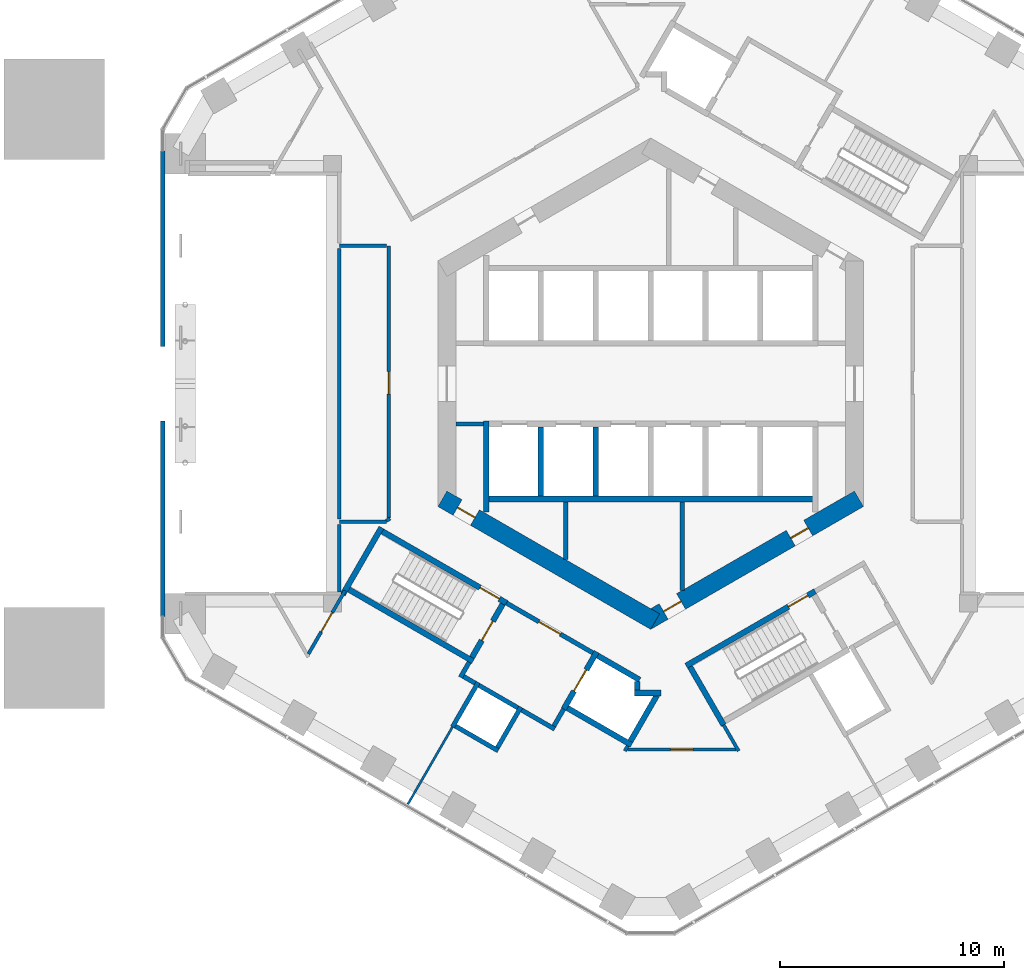
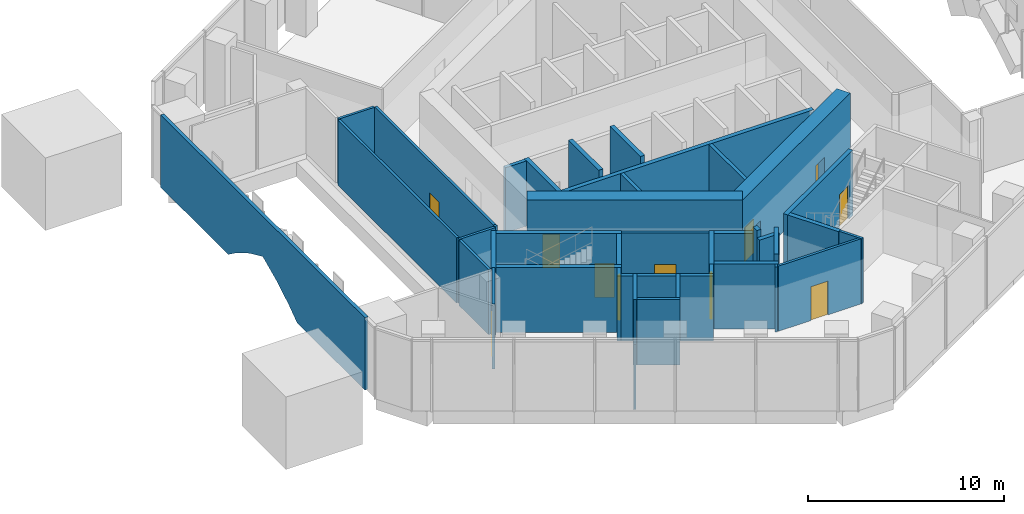
# One storey, part 9 of 14: 42 walls, 11 doors, 11 openings.
"""IFC4 building model written with IfcOpenShell, lengths in metres."""

from ifc_helpers import new_model, si_unit, direction, frame, frame_2d, origin, place, context, subcontext, project, spatial, polyline, rectangle, outline, extrude, material, layer, layer_set, type_object, element, fill, save


model = new_model("IFC4")

# Units and contexts
model_context = context("Model", 3, precision=1e-05, world=origin(), true_north=direction((0.0, 1.0)))
body_context = subcontext(model_context, "Body", "Model", "MODEL_VIEW")
ifc_project = project(units=[si_unit("LENGTHUNIT", "METRE"), si_unit("AREAUNIT", "SQUARE_METRE"), si_unit("VOLUMEUNIT", "CUBIC_METRE"), si_unit("PLANEANGLEUNIT", "RADIAN"), si_unit("MASSUNIT", "GRAM", prefix="KILO")], contexts=[model_context])

# Site, building, storey
site_placement = place(None, origin())
site = spatial("IfcSite", under=ifc_project, at=site_placement, CompositionType="ELEMENT")
building_placement = place(site_placement, origin())
building = spatial("IfcBuilding", under=site, at=building_placement, Name="Ayvan Gate Tower", CompositionType="ELEMENT")
storey_placement = place(building_placement, frame((0.0, 0.0, 16.0)))
storey = spatial("IfcBuildingStorey", under=building, at=storey_placement, Name="L03", CompositionType="ELEMENT", Elevation=16.0)

# Wall
ifc_material_1 = material(Name="Pale metal cladding on insulated wall")
ifc_layer_1 = layer(ifc_material_1, 0.199951171875)
ifc_layer_set_1 = layer_set([ifc_layer_1], Name="Pale metal cladding on insulated wall")
wall_type_1 = type_object("IfcWallType", Name="Arch tympanum wall 200", PredefinedType="SOLIDWALL", material=ifc_layer_set_1)
wall_1_placement = place(storey_placement, frame((-21.6845703125, 10.399658203125, 4.5), z_axis=(1.0, 0.0, 0.0), x_axis=(0.0, -1.0, 0.0)))
element("IfcWall", 1, at=wall_1_placement, inside=storey, type_object=wall_type_1, Name="Arch tympanum wall L03 face 3", PredefinedType="SOLIDWALL", context=body_context, shape_type="SweptSolid", body=[
    extrude(outline(polyline([(0.0, 0.0), (20.79931640625, 0.0), (20.79931640625, 4.5), (13.9052734375, 4.5), (13.04931640625, 3.8779296875), (11.758544921875, 3.123291015625), (10.399658203125, 2.5), (9.040771484375, 3.123291015625), (7.75, 3.8779296875), (6.89404296875, 4.5), (0.0, 4.5), (0.0, 0.0)])), origin(), (0.0, 0.0, -1.0), 0.199951171875),
])

# Wall, opening, door
ifc_material_2 = material(Name="Concrete C70/85", Category="concrete")
ifc_layer_2 = layer(ifc_material_2, 0.800048828125)
ifc_layer_set_2 = layer_set([ifc_layer_2], Name="Concrete C70/85")
wall_type_2 = type_object("IfcWallType", Name="Core wall 800 C70/85", PredefinedType="SHEAR", material=ifc_layer_set_2)
wall_2_placement = place(storey_placement, frame((-9.300048828125, -5.138427734375, 0.0), z_axis=(0.0, 0.0, 1.0), x_axis=(0.866023993627, -0.500002442456, 0.0)))
wall_2 = element("IfcWall", 2, at=wall_2_placement, inside=storey, type_object=wall_type_2, Name="CORE-L03-4", PredefinedType="SHEAR", context=body_context, shape_type="SweptSolid", body=[
    extrude(rectangle(XDim=10.9697265625, YDim=0.800048828125, at=frame_2d((5.48486328125, 0.0))), origin(), (0.0, 0.0, 1.0), 4.5),
])
opening_1_placement = place(wall_2_placement, frame((0.779541015625, 0.0, 0.0)))
opening_1 = element("IfcOpeningElement", 3, at=opening_1_placement, cuts=wall_2, Name="Opening L03-D29", PredefinedType="OPENING", context=body_context, shape_type="SweptSolid", body=[
    extrude(rectangle(XDim=0.89990234375, YDim=2.10009765625, at=frame_2d((0.449951171875, 1.050048828125))), frame((0.0, 0.409912109375, 0.0), z_axis=(0.0, -1.0, 0.0), x_axis=(1.0, 0.0, 0.0)), (0.0, 0.0, 1.0), 0.820068359375),
])
ifc_material_3 = material(Name="Timber door leaf", Category="wood")
door_type_1 = type_object("IfcDoorType", Name="DT-900", OperationType="NOTDEFINED", PredefinedType="DOOR", material=ifc_material_3)
door_1_placement = place(opening_1_placement, origin())
door_1 = element("IfcDoor", 4, at=door_1_placement, inside=storey, type_object=door_type_1, Name="CD-L03-29", OperationType="SINGLE_SWING_RIGHT", OverallHeight=2.10009765625, OverallWidth=0.89990234375, PredefinedType="DOOR", context=body_context, shape_type="SweptSolid", body=[
    extrude(rectangle(XDim=0.89990234375, YDim=2.10009765625, at=frame_2d((0.449951171875, 1.050048828125))), frame((0.0, 0.02490234375, 0.0), z_axis=(0.0, -1.0, 0.0), x_axis=(1.0, 0.0, 0.0)), (0.0, 0.0, 1.0), 0.050048828125),
])
fill(opening_1, door_1)

# Wall, openings, doors
wall_3_placement = place(storey_placement, frame((-0.199951171875, -10.623291015625, 0.0), z_axis=(0.0, 0.0, 1.0), x_axis=(0.866023993627, 0.500002442456, 0.0)))
wall_3 = element("IfcWall", 5, at=wall_3_placement, inside=storey, type_object=wall_type_2, Name="CORE-L03-5", PredefinedType="SHEAR", context=body_context, shape_type="SweptSolid", body=[
    extrude(rectangle(XDim=10.9697265625, YDim=0.800048828125, at=frame_2d((5.48486328125, 0.0))), origin(), (0.0, 0.0, 1.0), 4.5),
])
opening_2_placement = place(wall_3_placement, frame((0.89990234375, 0.0, 0.0)))
opening_2 = element("IfcOpeningElement", 6, at=opening_2_placement, cuts=wall_3, Name="Opening L03-D30", PredefinedType="OPENING", context=body_context, shape_type="SweptSolid", body=[
    extrude(rectangle(XDim=0.89990234375, YDim=2.10009765625, at=frame_2d((0.449951171875, 1.050048828125))), frame((0.0, 0.409912109375, 0.0), z_axis=(0.0, -1.0, 0.0), x_axis=(1.0, 0.0, 0.0)), (0.0, 0.0, 1.0), 0.820068359375),
])
opening_3_placement = place(wall_3_placement, frame((7.45458984375, 0.0, 0.0)))
opening_3 = element("IfcOpeningElement", 7, at=opening_3_placement, cuts=wall_3, Name="Opening L03-D31", PredefinedType="OPENING", context=body_context, shape_type="SweptSolid", body=[
    extrude(rectangle(XDim=0.89990234375, YDim=2.10009765625, at=frame_2d((0.449951171875, 1.050048828125))), frame((0.0, 0.409912109375, 0.0), z_axis=(0.0, -1.0, 0.0), x_axis=(1.0, 0.0, 0.0)), (0.0, 0.0, 1.0), 0.820068359375),
])
door_2_placement = place(opening_2_placement, origin())
door_2 = element("IfcDoor", 8, at=door_2_placement, inside=storey, type_object=door_type_1, Name="CD-L03-30", OperationType="SINGLE_SWING_LEFT", OverallHeight=2.10009765625, OverallWidth=0.89990234375, PredefinedType="DOOR", context=body_context, shape_type="SweptSolid", body=[
    extrude(rectangle(XDim=0.89990234375, YDim=2.10009765625, at=frame_2d((0.449951171875, 1.050048828125))), frame((0.0, 0.02490234375, 0.0), z_axis=(0.0, -1.0, 0.0), x_axis=(1.0, 0.0, 0.0)), (0.0, 0.0, 1.0), 0.050048828125),
])
fill(opening_2, door_2)
door_3_placement = place(opening_3_placement, origin())
door_3 = element("IfcDoor", 9, at=door_3_placement, inside=storey, type_object=door_type_1, Name="CD-L03-31", OperationType="SINGLE_SWING_RIGHT", OverallHeight=2.10009765625, OverallWidth=0.89990234375, PredefinedType="DOOR", context=body_context, shape_type="SweptSolid", body=[
    extrude(rectangle(XDim=0.89990234375, YDim=2.10009765625, at=frame_2d((0.449951171875, 1.050048828125))), frame((0.0, 0.02490234375, 0.0), z_axis=(0.0, -1.0, 0.0), x_axis=(1.0, 0.0, 0.0)), (0.0, 0.0, 1.0), 0.050048828125),
])
fill(opening_3, door_3)

# Walls
ifc_material_4 = material(Name="Plasterboard on steel stud", Category="steel")
ifc_layer_3 = layer(ifc_material_4, 0.14990234375)
ifc_layer_set_3 = layer_set([ifc_layer_3], Name="Plasterboard on steel stud")
wall_type_3 = type_object("IfcWallType", Name="WT-CORR-150", PredefinedType="PARTITIONING", material=ifc_layer_set_3)
wall_4_placement = place(storey_placement, frame((-13.89990234375, -9.29296875, 0.0), z_axis=(0.0, 0.0, 1.0), x_axis=(0.0, 1.0, 0.0)))
element("IfcWall", 10, at=wall_4_placement, inside=storey, type_object=wall_type_3, Name="IW-L03-010", PredefinedType="PARTITIONING", context=body_context, shape_type="SweptSolid", body=[
    extrude(rectangle(XDim=3.01220703125, YDim=0.14990234375, at=frame_2d((1.506103515625, 0.0))), origin(), (0.0, 0.0, 1.0), 4.050048828125),
])
wall_5_placement = place(storey_placement, frame((-13.89990234375, -6.160888671875, 0.0), z_axis=(0.0, 0.0, 1.0), x_axis=(1.0, 0.0, 0.0)))
element("IfcWall", 11, at=wall_5_placement, inside=storey, type_object=wall_type_3, Name="IW-L03-011", PredefinedType="PARTITIONING", context=body_context, shape_type="SweptSolid", body=[
    extrude(rectangle(XDim=2.10400390625, YDim=0.14990234375, at=frame_2d((1.052001953125, 0.0))), origin(), (0.0, 0.0, 1.0), 4.050048828125),
])
wall_6_placement = place(storey_placement, frame((-13.89990234375, -6.040771484375, 0.0), z_axis=(0.0, 0.0, 1.0), x_axis=(0.0, 1.0, 0.0)))
element("IfcWall", 12, at=wall_6_placement, inside=storey, type_object=wall_type_3, Name="IW-L03-012", PredefinedType="PARTITIONING", context=body_context, shape_type="SweptSolid", body=[
    extrude(rectangle(XDim=12.08154296875, YDim=0.14990234375, at=frame_2d((6.040771484375, 0.0))), origin(), (0.0, 0.0, 1.0), 4.050048828125),
])

# Wall, opening, door
wall_7_placement = place(storey_placement, frame((-13.647705078125, -9.23876953125, 0.0), z_axis=(0.0, 0.0, 1.0), x_axis=(-0.50004125829, -0.866001581989, 0.0)))
wall_7 = element("IfcWall", 13, at=wall_7_placement, inside=storey, type_object=wall_type_3, Name="IW-L03-016", PredefinedType="PARTITIONING", context=body_context, shape_type="SweptSolid", body=[
    extrude(rectangle(XDim=3.270263671875, YDim=0.14990234375, at=frame_2d((1.63525390625, 0.0))), origin(), (0.0, 0.0, 1.0), 4.050048828125),
])
opening_4_placement = place(wall_7_placement, frame((1.13525390625, 0.0, 0.0)))
opening_4 = element("IfcOpeningElement", 14, at=opening_4_placement, cuts=wall_7, Name="Opening L03-D20", PredefinedType="OPENING", context=body_context, shape_type="SweptSolid", body=[
    extrude(rectangle(XDim=1.0, YDim=2.10009765625, at=frame_2d((0.5, 1.050048828125))), frame((0.0, 0.0849609375, 0.0), z_axis=(0.0, -1.0, 0.0), x_axis=(1.0, 0.0, 0.0)), (0.0, 0.0, 1.0), 0.169921875),
])
door_type_2 = type_object("IfcDoorType", Name="DT-1000", OperationType="NOTDEFINED", PredefinedType="DOOR", material=ifc_material_3)
door_4_placement = place(opening_4_placement, origin())
door_4 = element("IfcDoor", 15, at=door_4_placement, inside=storey, type_object=door_type_2, Name="ID-L03-020", OperationType="SINGLE_SWING_LEFT", OverallHeight=2.10009765625, OverallWidth=1.0, PredefinedType="DOOR", context=body_context, shape_type="SweptSolid", body=[
    extrude(rectangle(XDim=1.0, YDim=2.10009765625, at=frame_2d((0.5, 1.050048828125))), frame((0.0, 0.02490234375, 0.0), z_axis=(0.0, -1.0, 0.0), x_axis=(1.0, 0.0, 0.0)), (0.0, 0.0, 1.0), 0.050048828125),
])
fill(opening_4, door_4)

# Walls
wall_8_placement = place(storey_placement, frame((-11.7958984375, 6.160888671875, 0.0), z_axis=(0.0, 0.0, 1.0), x_axis=(-1.0, 0.0, 0.0)))
element("IfcWall", 16, at=wall_8_placement, inside=storey, type_object=wall_type_3, Name="IW-L03-018", PredefinedType="PARTITIONING", context=body_context, shape_type="SweptSolid", body=[
    extrude(rectangle(XDim=2.10400390625, YDim=0.14990234375, at=frame_2d((1.052001953125, 0.0))), origin(), (0.0, 0.0, 1.0), 4.050048828125),
])
wall_9_placement = place(storey_placement, frame((-11.805908203125, -6.123291015625, 0.0), z_axis=(0.0, 0.0, 1.0), x_axis=(0.866103179807, 0.499865263774, 0.0)))
element("IfcWall", 17, at=wall_9_placement, inside=storey, type_object=wall_type_3, Name="IW-L03-019", PredefinedType="PARTITIONING", context=body_context, shape_type="SweptSolid", body=[
    extrude(rectangle(XDim=0.197265625, YDim=0.14990234375, at=frame_2d((0.0986328125, 0.0))), origin(), (0.0, 0.0, 1.0), 4.050048828125),
])

# Wall, opening, door
wall_10_placement = place(storey_placement, frame((-11.699951171875, -5.9873046875, 0.0), z_axis=(0.0, 0.0, 1.0), x_axis=(0.0, 1.0, 0.0)))
wall_10 = element("IfcWall", 18, at=wall_10_placement, inside=storey, type_object=wall_type_3, Name="IW-L03-020", PredefinedType="PARTITIONING", context=body_context, shape_type="SweptSolid", body=[
    extrude(rectangle(XDim=12.12451171875, YDim=0.14990234375, at=frame_2d((6.062255859375, 0.0))), origin(), (0.0, 0.0, 1.0), 4.050048828125),
])
opening_5_placement = place(wall_10_placement, frame((5.524658203125, 0.0, 0.0)))
opening_5 = element("IfcOpeningElement", 19, at=opening_5_placement, cuts=wall_10, Name="Opening L03-D25", PredefinedType="OPENING", context=body_context, shape_type="SweptSolid", body=[
    extrude(rectangle(XDim=1.0, YDim=2.10009765625, at=frame_2d((0.5, 1.050048828125))), frame((0.0, 0.0849609375, 0.0), z_axis=(0.0, -1.0, 0.0), x_axis=(1.0, 0.0, 0.0)), (0.0, 0.0, 1.0), 0.169921875),
])
door_5_placement = place(opening_5_placement, origin())
door_5 = element("IfcDoor", 20, at=door_5_placement, inside=storey, type_object=door_type_2, Name="ID-L03-025", OperationType="SINGLE_SWING_RIGHT", OverallHeight=2.10009765625, OverallWidth=1.0, PredefinedType="DOOR", context=body_context, shape_type="SweptSolid", body=[
    extrude(rectangle(XDim=1.0, YDim=2.10009765625, at=frame_2d((0.5, 1.050048828125))), frame((0.0, 0.02490234375, 0.0), z_axis=(0.0, -1.0, 0.0), x_axis=(1.0, 0.0, 0.0)), (0.0, 0.0, 1.0), 0.050048828125),
])
fill(opening_5, door_5)

# Walls
wall_11_placement = place(storey_placement, frame((-1.1552734375, -16.40087890625, 0.0), z_axis=(0.0, 0.0, 1.0), x_axis=(0.500134748329, 0.865947592822, 0.0)))
element("IfcWall", 21, at=wall_11_placement, inside=storey, type_object=wall_type_3, Name="IW-L03-052", PredefinedType="PARTITIONING", context=body_context, shape_type="SweptSolid", body=[
    extrude(rectangle(XDim=0.25634765625, YDim=0.14990234375, at=frame_2d((0.128173828125, 0.0))), origin(), (0.0, 0.0, 1.0), 4.050048828125),
])
wall_12_placement = place(storey_placement, frame((3.255615234375, -15.23876953125, 0.0), z_axis=(0.0, 0.0, 1.0), x_axis=(0.499974444137, -0.866040157966, 0.0)))
element("IfcWall", 22, at=wall_12_placement, inside=storey, type_object=wall_type_3, Name="IW-L03-073", PredefinedType="PARTITIONING", context=body_context, shape_type="SweptSolid", body=[
    extrude(rectangle(XDim=1.341796875, YDim=0.14990234375, at=frame_2d((0.6708984375, 0.0))), origin(), (0.0, 0.0, 1.0), 4.050048828125),
])

# Wall, opening, door
wall_13_placement = place(storey_placement, frame((3.81396484375, -16.3359375, 0.0), z_axis=(0.0, 0.0, 1.0), x_axis=(-1.0, 0.0, 0.0)))
wall_13 = element("IfcWall", 23, at=wall_13_placement, inside=storey, type_object=wall_type_3, Name="IW-L03-077", PredefinedType="PARTITIONING", context=body_context, shape_type="SweptSolid", body=[
    extrude(rectangle(XDim=4.856689453125, YDim=0.14990234375, at=frame_2d((2.42822265625, 0.0))), origin(), (0.0, 0.0, 1.0), 4.050048828125),
])
opening_6_placement = place(wall_13_placement, frame((1.92822265625, 0.0, 0.0)))
opening_6 = element("IfcOpeningElement", 24, at=opening_6_placement, cuts=wall_13, Name="Opening L03-D21", PredefinedType="OPENING", context=body_context, shape_type="SweptSolid", body=[
    extrude(rectangle(XDim=1.0, YDim=2.10009765625, at=frame_2d((0.5, 1.050048828125))), frame((0.0, 0.0849609375, 0.0), z_axis=(0.0, -1.0, 0.0), x_axis=(1.0, 0.0, 0.0)), (0.0, 0.0, 1.0), 0.169921875),
])
door_6_placement = place(opening_6_placement, origin())
door_6 = element("IfcDoor", 25, at=door_6_placement, inside=storey, type_object=door_type_2, Name="ID-L03-021", OperationType="SINGLE_SWING_RIGHT", OverallHeight=2.10009765625, OverallWidth=1.0, PredefinedType="DOOR", context=body_context, shape_type="SweptSolid", body=[
    extrude(rectangle(XDim=1.0, YDim=2.10009765625, at=frame_2d((0.5, 1.050048828125))), frame((0.0, 0.02490234375, 0.0), z_axis=(0.0, -1.0, 0.0), x_axis=(1.0, 0.0, 0.0)), (0.0, 0.0, 1.0), 0.050048828125),
])
fill(opening_6, door_6)

# Walls
ifc_layer_4 = layer(ifc_material_4, 0.10009765625)
ifc_layer_set_4 = layer_set([ifc_layer_4], Name="Plasterboard on steel stud")
wall_type_4 = type_object("IfcWallType", Name="WT-PART-100", PredefinedType="PARTITIONING", material=ifc_layer_set_4)
wall_14_placement = place(storey_placement, frame((-8.85009765625, -15.32861328125, 0.0), z_axis=(0.0, 0.0, 1.0), x_axis=(-0.499991453095, -0.866030338286, 0.0)))
element("IfcWall", 26, at=wall_14_placement, inside=storey, type_object=wall_type_4, Name="IW-L03-024", PredefinedType="PARTITIONING", context=body_context, shape_type="SweptSolid", body=[
    extrude(rectangle(XDim=3.98046875, YDim=0.10009765625, at=frame_2d((1.990234375, 0.0))), origin(), (0.0, 0.0, 1.0), 4.050048828125),
])
ifc_layer_5 = layer(ifc_material_4, 0.199951171875)
ifc_layer_set_5 = layer_set([ifc_layer_5], Name="Plasterboard on steel stud")
wall_type_5 = type_object("IfcWallType", Name="WT-PLUMB-200", PredefinedType="PLUMBINGWALL", material=ifc_layer_set_5)
wall_15_placement = place(storey_placement, frame((-8.85009765625, -15.32861328125, 0.0), z_axis=(0.0, 0.0, 1.0), x_axis=(0.500077740698, 0.865980515519, 0.0)))
element("IfcWall", 27, at=wall_15_placement, inside=storey, type_object=wall_type_5, Name="IW-L03-023", PredefinedType="PLUMBINGWALL", context=body_context, shape_type="SweptSolid", body=[
    extrude(rectangle(XDim=2.300048828125, YDim=0.199951171875, at=frame_2d((1.14990234375, 0.0))), origin(), (0.0, 0.0, 1.0), 4.050048828125),
])
wall_16_placement = place(storey_placement, frame((-6.80810546875, -16.39208984375, 0.0), z_axis=(0.0, 0.0, 1.0), x_axis=(-0.866008176907, 0.50002983664, 0.0)))
element("IfcWall", 28, at=wall_16_placement, inside=storey, type_object=wall_type_5, Name="IW-L03-034", PredefinedType="PLUMBINGWALL", context=body_context, shape_type="SweptSolid", body=[
    extrude(rectangle(XDim=2.199951171875, YDim=0.199951171875, at=frame_2d((1.10009765625, 0.0))), origin(), (0.0, 0.0, 1.0), 4.050048828125),
])
wall_17_placement = place(storey_placement, frame((-5.794677734375, -14.436767578125, 0.0), z_axis=(0.0, 0.0, 1.0), x_axis=(-0.500027713859, -0.866009402589, 0.0)))
element("IfcWall", 29, at=wall_17_placement, inside=storey, type_object=wall_type_5, Name="IW-L03-037", PredefinedType="PLUMBINGWALL", context=body_context, shape_type="SweptSolid", body=[
    extrude(rectangle(XDim=2.10009765625, YDim=0.199951171875, at=frame_2d((1.050048828125, 0.0))), origin(), (0.0, 0.0, 1.0), 4.050048828125),
])
wall_18_placement = place(storey_placement, frame((-5.931396484375, -14.473388671875, 0.0), z_axis=(0.0, 0.0, 1.0), x_axis=(-0.866041268327, 0.499972520799, 0.0)))
element("IfcWall", 30, at=wall_18_placement, inside=storey, type_object=wall_type_5, Name="IW-L03-038", PredefinedType="PLUMBINGWALL", context=body_context, shape_type="SweptSolid", body=[
    extrude(rectangle(XDim=2.0, YDim=0.199951171875, at=frame_2d((1.0, 0.0))), origin(), (0.0, 0.0, 1.0), 4.050048828125),
])
ifc_layer_6 = layer(ifc_material_4, 0.199951171875)
ifc_layer_set_6 = layer_set([ifc_layer_6], Name="Plasterboard on steel stud")
wall_type_6 = type_object("IfcWallType", Name="WT-RATED-200", PredefinedType="PARTITIONING", material=ifc_layer_set_6)
wall_19_placement = place(storey_placement, frame((-8.492919921875, -13.110107421875, 0.0), z_axis=(0.0, 0.0, 1.0), x_axis=(0.500067724834, 0.865986299303, 0.0)))
element("IfcWall", 31, at=wall_19_placement, inside=storey, type_object=wall_type_6, Name="IW-L03-026", PredefinedType="PARTITIONING", context=body_context, shape_type="SweptSolid", body=[
    extrude(rectangle(XDim=0.775390625, YDim=0.199951171875, at=frame_2d((0.3876953125, 0.0))), origin(), (0.0, 0.0, 1.0), 4.050048828125),
])
wall_20_placement = place(storey_placement, frame((-7.83642578125, -13.373291015625, 0.0), z_axis=(0.0, 0.0, 1.0), x_axis=(-0.866232998003, 0.499640263761, 0.0)))
element("IfcWall", 32, at=wall_20_placement, inside=storey, type_object=wall_type_6, Name="IW-L03-028", PredefinedType="PARTITIONING", context=body_context, shape_type="SweptSolid", body=[
    extrude(rectangle(XDim=0.60009765625, YDim=0.199951171875, at=frame_2d((0.300048828125, 0.0))), origin(), (0.0, 0.0, 1.0), 4.050048828125),
])
wall_21_placement = place(storey_placement, frame((-7.474853515625, -1.800048828125, 0.0), z_axis=(0.0, 0.0, 1.0), x_axis=(-1.0, 0.0, 0.0)))
element("IfcWall", 33, at=wall_21_placement, inside=storey, type_object=wall_type_6, Name="IW-L03-033", PredefinedType="PARTITIONING", context=body_context, shape_type="SweptSolid", body=[
    extrude(rectangle(XDim=1.22509765625, YDim=0.199951171875, at=frame_2d((0.612548828125, 0.0))), origin(), (0.0, 0.0, 1.0), 4.050048828125),
])

# Wall, opening, door
wall_22_placement = place(storey_placement, frame((-6.4345703125, -9.794921875, 0.0), z_axis=(0.0, 0.0, 1.0), x_axis=(0.866012907634, -0.500021643343, 0.0)))
wall_22 = element("IfcWall", 34, at=wall_22_placement, inside=storey, type_object=wall_type_6, Name="IW-L03-036", PredefinedType="PARTITIONING", context=body_context, shape_type="SweptSolid", body=[
    extrude(rectangle(XDim=4.449951171875, YDim=0.199951171875, at=frame_2d((2.22509765625, 0.0))), origin(), (0.0, 0.0, 1.0), 4.050048828125),
])
opening_7_placement = place(wall_22_placement, frame((1.675048828125, 0.0, 0.0)))
opening_7 = element("IfcOpeningElement", 35, at=opening_7_placement, cuts=wall_22, Name="Opening L03-D12", PredefinedType="OPENING", context=body_context, shape_type="SweptSolid", body=[
    extrude(rectangle(XDim=1.10009765625, YDim=2.10009765625, at=frame_2d((0.550048828125, 1.050048828125))), frame((0.0, 0.10986328125, 0.0), z_axis=(0.0, -1.0, 0.0), x_axis=(1.0, 0.0, 0.0)), (0.0, 0.0, 1.0), 0.219970703125),
])
door_type_3 = type_object("IfcDoorType", Name="DT-1100", OperationType="NOTDEFINED", PredefinedType="DOOR", material=ifc_material_3)
door_7_placement = place(opening_7_placement, origin())
door_7 = element("IfcDoor", 36, at=door_7_placement, inside=storey, type_object=door_type_3, Name="ID-L03-012", OperationType="SINGLE_SWING_LEFT", OverallHeight=2.10009765625, OverallWidth=1.10009765625, PredefinedType="DOOR", context=body_context, shape_type="SweptSolid", body=[
    extrude(rectangle(XDim=1.10009765625, YDim=2.10009765625, at=frame_2d((0.550048828125, 1.050048828125))), frame((0.0, 0.02490234375, 0.0), z_axis=(0.0, -1.0, 0.0), x_axis=(1.0, 0.0, 0.0)), (0.0, 0.0, 1.0), 0.050048828125),
])
fill(opening_7, door_7)

# Walls
wall_23_placement = place(storey_placement, frame((-4.285888671875, -15.42333984375, 0.0), z_axis=(0.0, 0.0, 1.0), x_axis=(-0.866025371046, 0.500000056704, 0.0)))
element("IfcWall", 37, at=wall_23_placement, inside=storey, type_object=wall_type_6, Name="IW-L03-044", PredefinedType="PARTITIONING", context=body_context, shape_type="SweptSolid", body=[
    extrude(rectangle(XDim=1.7001953125, YDim=0.199951171875, at=frame_2d((0.85009765625, 0.0))), origin(), (0.0, 0.0, 1.0), 4.050048828125),
])
wall_24_placement = place(storey_placement, frame((-3.885009765625, -14.52880859375, 0.0), z_axis=(0.0, 0.0, 1.0), x_axis=(-0.499859285417, -0.866106630146, 0.0)))
element("IfcWall", 38, at=wall_24_placement, inside=storey, type_object=wall_type_6, Name="IW-L03-045", PredefinedType="PARTITIONING", context=body_context, shape_type="SweptSolid", body=[
    extrude(rectangle(XDim=0.875244140625, YDim=0.199951171875, at=frame_2d((0.4375, 0.0))), origin(), (0.0, 0.0, 1.0), 4.050048828125),
])
wall_25_placement = place(storey_placement, frame((-3.800048828125, -5.27490234375, 0.0), z_axis=(0.0, 0.0, 1.0), x_axis=(0.0, -1.0, 0.0)))
element("IfcWall", 39, at=wall_25_placement, inside=storey, type_object=wall_type_6, Name="IW-L03-046", PredefinedType="PARTITIONING", context=body_context, shape_type="SweptSolid", body=[
    extrude(rectangle(XDim=2.5771484375, YDim=0.199951171875, at=frame_2d((1.28857421875, 0.0))), origin(), (0.0, 0.0, 1.0), 4.050048828125),
])
wall_26_placement = place(storey_placement, frame((1.39990234375, -5.27490234375, 0.0), z_axis=(0.0, 0.0, 1.0), x_axis=(0.0, -1.0, 0.0)))
element("IfcWall", 40, at=wall_26_placement, inside=storey, type_object=wall_type_6, Name="IW-L03-066", PredefinedType="PARTITIONING", context=body_context, shape_type="SweptSolid", body=[
    extrude(rectangle(XDim=3.962646484375, YDim=0.199951171875, at=frame_2d((1.9814453125, 0.0))), origin(), (0.0, 0.0, 1.0), 4.050048828125),
])
ifc_material_5 = material(Name="Concrete C50/60", Category="concrete")
ifc_layer_7 = layer(ifc_material_5, 0.25)
ifc_layer_set_7 = layer_set([ifc_layer_7], Name="Concrete C50/60")
wall_type_7 = type_object("IfcWallType", Name="WT-RC-250", PredefinedType="SHEAR", material=ifc_layer_set_7)
wall_27_placement = place(storey_placement, frame((-13.7548828125, -9.424072265625, 0.0), z_axis=(0.0, 0.0, 1.0), x_axis=(0.500005140434, 0.866022435933, 0.0)))
element("IfcWall", 41, at=wall_27_placement, inside=storey, type_object=wall_type_7, Name="IW-L03-015", PredefinedType="SHEAR", context=body_context, shape_type="SweptSolid", body=[
    extrude(rectangle(XDim=3.4638671875, YDim=0.25, at=frame_2d((1.73193359375, 0.0))), origin(), (0.0, 0.0, 1.0), 4.050048828125),
])

# Wall, opening, door
wall_28_placement = place(storey_placement, frame((-11.97705078125, -6.594970703125, 0.0), z_axis=(0.0, 0.0, 1.0), x_axis=(0.866025499775, -0.499999833739, 0.0)))
wall_28 = element("IfcWall", 42, at=wall_28_placement, inside=storey, type_object=wall_type_7, Name="IW-L03-017", PredefinedType="SHEAR", context=body_context, shape_type="SweptSolid", body=[
    extrude(rectangle(XDim=6.39990234375, YDim=0.25, at=frame_2d((3.199951171875, 0.0))), origin(), (0.0, 0.0, 1.0), 4.050048828125),
])
opening_8_placement = place(wall_28_placement, frame((5.02490234375, 0.0, 0.0)))
opening_8 = element("IfcOpeningElement", 43, at=opening_8_placement, cuts=wall_28, Name="Opening L03-D10", PredefinedType="OPENING", context=body_context, shape_type="SweptSolid", body=[
    extrude(rectangle(XDim=1.0, YDim=2.10009765625, at=frame_2d((0.5, 1.050048828125))), frame((0.0, 0.135009765625, 0.0), z_axis=(0.0, -1.0, 0.0), x_axis=(1.0, 0.0, 0.0)), (0.0, 0.0, 1.0), 0.27001953125),
])
door_8_placement = place(opening_8_placement, origin())
door_8 = element("IfcDoor", 44, at=door_8_placement, inside=storey, type_object=door_type_2, Name="ID-L03-010", OperationType="SINGLE_SWING_LEFT", OverallHeight=2.10009765625, OverallWidth=1.0, PredefinedType="DOOR", context=body_context, shape_type="SweptSolid", body=[
    extrude(rectangle(XDim=1.0, YDim=2.10009765625, at=frame_2d((0.5, 1.050048828125))), frame((0.0, 0.02490234375, 0.0), z_axis=(0.0, -1.0, 0.0), x_axis=(1.0, 0.0, 0.0)), (0.0, 0.0, 1.0), 0.050048828125),
])
fill(opening_8, door_8)

# Walls
wall_29_placement = place(storey_placement, frame((-7.9345703125, -12.39306640625, 0.0), z_axis=(0.0, 0.0, 1.0), x_axis=(-0.866025499775, 0.499999833739, 0.0)))
element("IfcWall", 45, at=wall_29_placement, inside=storey, type_object=wall_type_7, Name="IW-L03-027", PredefinedType="SHEAR", context=body_context, shape_type="SweptSolid", body=[
    extrude(rectangle(XDim=6.39990234375, YDim=0.25, at=frame_2d((3.199951171875, 0.0))), origin(), (0.0, 0.0, 1.0), 4.050048828125),
])
wall_30_placement = place(storey_placement, frame((-7.35009765625, -5.730224609375, 0.0), z_axis=(0.0, 0.0, 1.0), x_axis=(0.0, 1.0, 0.0)))
element("IfcWall", 46, at=wall_30_placement, inside=storey, type_object=wall_type_7, Name="IW-L03-030", PredefinedType="SHEAR", context=body_context, shape_type="SweptSolid", body=[
    extrude(rectangle(XDim=4.05517578125, YDim=0.25, at=frame_2d((2.027587890625, 0.0))), origin(), (0.0, 0.0, 1.0), 4.050048828125),
])

# Wall, opening, door
wall_31_placement = place(storey_placement, frame((-6.605224609375, -9.8408203125, 0.0), z_axis=(0.0, 0.0, 1.0), x_axis=(-0.499996545922, -0.866027397988, 0.0)))
wall_31 = element("IfcWall", 47, at=wall_31_placement, inside=storey, type_object=wall_type_7, Name="IW-L03-035", PredefinedType="SHEAR", context=body_context, shape_type="SweptSolid", body=[
    extrude(rectangle(XDim=2.75, YDim=0.25, at=frame_2d((1.375, 0.0))), origin(), (0.0, 0.0, 1.0), 4.050048828125),
])
opening_9_placement = place(wall_31_placement, frame((0.875, 0.0, 0.0)))
opening_9 = element("IfcOpeningElement", 48, at=opening_9_placement, cuts=wall_31, Name="Opening L03-D11", PredefinedType="OPENING", context=body_context, shape_type="SweptSolid", body=[
    extrude(rectangle(XDim=1.0, YDim=2.10009765625, at=frame_2d((0.5, 1.050048828125))), frame((0.0, 0.135009765625, 0.0), z_axis=(0.0, -1.0, 0.0), x_axis=(1.0, 0.0, 0.0)), (0.0, 0.0, 1.0), 0.27001953125),
])
door_9_placement = place(opening_9_placement, origin())
door_9 = element("IfcDoor", 49, at=door_9_placement, inside=storey, type_object=door_type_2, Name="ID-L03-011", OperationType="SINGLE_SWING_RIGHT", OverallHeight=2.10009765625, OverallWidth=1.0, PredefinedType="DOOR", context=body_context, shape_type="SweptSolid", body=[
    extrude(rectangle(XDim=1.0, YDim=2.10009765625, at=frame_2d((0.5, 1.050048828125))), frame((0.0, 0.02490234375, 0.0), z_axis=(0.0, -1.0, 0.0), x_axis=(1.0, 0.0, 0.0)), (0.0, 0.0, 1.0), 0.050048828125),
])
fill(opening_9, door_9)

# Walls
wall_32_placement = place(storey_placement, frame((-7.22509765625, -5.14990234375, 0.0), z_axis=(0.0, 0.0, 1.0), x_axis=(1.0, 0.0, 0.0)))
element("IfcWall", 50, at=wall_32_placement, inside=storey, type_object=wall_type_7, Name="IW-L03-040", PredefinedType="SHEAR", context=body_context, shape_type="SweptSolid", body=[
    extrude(rectangle(XDim=14.7001953125, YDim=0.25, at=frame_2d((7.35009765625, 0.0))), origin(), (0.0, 0.0, 1.0), 4.050048828125),
])
wall_33_placement = place(storey_placement, frame((-4.89990234375, -1.925048828125, 0.0), z_axis=(0.0, 0.0, 1.0), x_axis=(0.0, -1.0, 0.0)))
element("IfcWall", 51, at=wall_33_placement, inside=storey, type_object=wall_type_7, Name="IW-L03-041", PredefinedType="SHEAR", context=body_context, shape_type="SweptSolid", body=[
    extrude(rectangle(XDim=3.099853515625, YDim=0.25, at=frame_2d((1.5498046875, 0.0))), origin(), (0.0, 0.0, 1.0), 4.5),
])

# Wall, opening, door
wall_34_placement = place(storey_placement, frame((-2.409912109375, -11.97412109375, 0.0), z_axis=(0.0, 0.0, 1.0), x_axis=(-0.500001826776, -0.866024349092, 0.0)))
wall_34 = element("IfcWall", 52, at=wall_34_placement, inside=storey, type_object=wall_type_7, Name="IW-L03-048", PredefinedType="SHEAR", context=body_context, shape_type="SweptSolid", body=[
    extrude(rectangle(XDim=2.9501953125, YDim=0.25, at=frame_2d((1.47509765625, 0.0))), origin(), (0.0, 0.0, 1.0), 4.050048828125),
])
opening_10_placement = place(wall_34_placement, frame((0.925048828125, 0.0, 0.0)))
opening_10 = element("IfcOpeningElement", 53, at=opening_10_placement, cuts=wall_34, Name="Opening L03-LD-FF2", PredefinedType="OPENING", context=body_context, shape_type="SweptSolid", body=[
    extrude(rectangle(XDim=1.10009765625, YDim=2.10009765625, at=frame_2d((0.550048828125, 1.050048828125))), frame((0.0, 0.135009765625, 0.0), z_axis=(0.0, -1.0, 0.0), x_axis=(1.0, 0.0, 0.0)), (0.0, 0.0, 1.0), 0.27001953125),
])
ifc_material_6 = material(Name="Stainless steel landing door", Category="steel")
door_type_4 = type_object("IfcDoorType", Name="DT-LANDING-1100", OperationType="SLIDING_TO_LEFT", PredefinedType="DOOR", material=ifc_material_6)
door_10_placement = place(opening_10_placement, origin())
door_10 = element("IfcDoor", 54, at=door_10_placement, inside=storey, type_object=door_type_4, Name="ID-L03-013", OperationType="SLIDING_TO_LEFT", OverallHeight=2.10009765625, OverallWidth=1.10009765625, PredefinedType="DOOR", context=body_context, shape_type="SweptSolid", body=[
    extrude(rectangle(XDim=1.10009765625, YDim=2.10009765625, at=frame_2d((0.550048828125, 1.050048828125))), frame((0.0, 0.02490234375, 0.0), z_axis=(0.0, -1.0, 0.0), x_axis=(1.0, 0.0, 0.0)), (0.0, 0.0, 1.0), 0.050048828125),
])
fill(opening_10, door_10)

# Walls
wall_35_placement = place(storey_placement, frame((-2.3642578125, -12.14501953125, 0.0), z_axis=(0.0, 0.0, 1.0), x_axis=(0.86603892542, -0.499976579108, 0.0)))
element("IfcWall", 55, at=wall_35_placement, inside=storey, type_object=wall_type_7, Name="IW-L03-049", PredefinedType="SHEAR", context=body_context, shape_type="SweptSolid", body=[
    extrude(rectangle(XDim=2.162109375, YDim=0.25, at=frame_2d((1.0810546875, 0.0))), origin(), (0.0, 0.0, 1.0), 4.050048828125),
])
wall_36_placement = place(storey_placement, frame((-2.449951171875, -1.925048828125, 0.0), z_axis=(0.0, 0.0, 1.0), x_axis=(0.0, -1.0, 0.0)))
element("IfcWall", 56, at=wall_36_placement, inside=storey, type_object=wall_type_7, Name="IW-L03-050", PredefinedType="SHEAR", context=body_context, shape_type="SweptSolid", body=[
    extrude(rectangle(XDim=3.099853515625, YDim=0.25, at=frame_2d((1.5498046875, 0.0))), origin(), (0.0, 0.0, 1.0), 4.5),
])
wall_37_placement = place(storey_placement, frame((-0.8564453125, -16.13330078125, 0.0), z_axis=(0.0, 0.0, 1.0), x_axis=(-0.866021716278, 0.500006386895, 0.0)))
element("IfcWall", 57, at=wall_37_placement, inside=storey, type_object=wall_type_7, Name="IW-L03-053", PredefinedType="SHEAR", context=body_context, shape_type="SweptSolid", body=[
    extrude(rectangle(XDim=3.2998046875, YDim=0.25, at=frame_2d((1.64990234375, 0.0))), origin(), (0.0, 0.0, 1.0), 4.050048828125),
])
wall_38_placement = place(storey_placement, frame((-0.72509765625, -13.81005859375, 0.0), z_axis=(0.0, 0.0, 1.0), x_axis=(1.0, 0.0, 0.0)))
element("IfcWall", 58, at=wall_38_placement, inside=storey, type_object=wall_type_7, Name="IW-L03-054", PredefinedType="SHEAR", context=body_context, shape_type="SweptSolid", body=[
    extrude(rectangle(XDim=1.190673828125, YDim=0.25, at=frame_2d((0.59521484375, 0.0))), origin(), (0.0, 0.0, 1.0), 4.050048828125),
])
wall_39_placement = place(storey_placement, frame((-0.60009765625, -13.28857421875, 0.0), z_axis=(0.0, 0.0, 1.0), x_axis=(0.0, -1.0, 0.0)))
element("IfcWall", 59, at=wall_39_placement, inside=storey, type_object=wall_type_7, Name="IW-L03-055", PredefinedType="SHEAR", context=body_context, shape_type="SweptSolid", body=[
    extrude(rectangle(XDim=0.396484375, YDim=0.25, at=frame_2d((0.1982421875, 0.0))), origin(), (0.0, 0.0, 1.0), 4.5),
])
wall_40_placement = place(storey_placement, frame((0.278076171875, -13.918212890625, 0.0), z_axis=(0.0, 0.0, 1.0), x_axis=(-0.49998806882, -0.866032292145, 0.0)))
element("IfcWall", 60, at=wall_40_placement, inside=storey, type_object=wall_type_7, Name="IW-L03-061", PredefinedType="SHEAR", context=body_context, shape_type="SweptSolid", body=[
    extrude(rectangle(XDim=2.3603515625, YDim=0.25, at=frame_2d((1.18017578125, 0.0))), origin(), (0.0, 0.0, 1.0), 4.5),
])

# Wall, opening, door
wall_41_placement = place(storey_placement, frame((1.584716796875, -12.594970703125, 0.0), z_axis=(0.0, 0.0, 1.0), x_axis=(0.866036417653, 0.499980922934, 0.0)))
wall_41 = element("IfcWall", 61, at=wall_41_placement, inside=storey, type_object=wall_type_7, Name="IW-L03-068", PredefinedType="SHEAR", context=body_context, shape_type="SweptSolid", body=[
    extrude(rectangle(XDim=6.650146484375, YDim=0.25, at=frame_2d((3.3251953125, 0.0))), origin(), (0.0, 0.0, 1.0), 4.050048828125),
])
opening_11_placement = place(wall_41_placement, frame((5.27490234375, 0.0, 0.0)))
opening_11 = element("IfcOpeningElement", 62, at=opening_11_placement, cuts=wall_41, Name="Opening L03-D14", PredefinedType="OPENING", context=body_context, shape_type="SweptSolid", body=[
    extrude(rectangle(XDim=1.0, YDim=2.10009765625, at=frame_2d((0.5, 1.050048828125))), frame((0.0, 0.135009765625, 0.0), z_axis=(0.0, -1.0, 0.0), x_axis=(1.0, 0.0, 0.0)), (0.0, 0.0, 1.0), 0.27001953125),
])
door_11_placement = place(opening_11_placement, origin())
door_11 = element("IfcDoor", 63, at=door_11_placement, inside=storey, type_object=door_type_2, Name="ID-L03-014", OperationType="SINGLE_SWING_LEFT", OverallHeight=2.10009765625, OverallWidth=1.0, PredefinedType="DOOR", context=body_context, shape_type="SweptSolid", body=[
    extrude(rectangle(XDim=1.0, YDim=2.10009765625, at=frame_2d((0.5, 1.050048828125))), frame((0.0, 0.02490234375, 0.0), z_axis=(0.0, -1.0, 0.0), x_axis=(1.0, 0.0, 0.0)), (0.0, 0.0, 1.0), 0.050048828125),
])
fill(opening_11, door_11)

# Wall
wall_42_placement = place(storey_placement, frame((3.255615234375, -15.23876953125, 0.0), z_axis=(0.0, 0.0, 1.0), x_axis=(-0.50002537861, 0.866010750942, 0.0)))
element("IfcWall", 64, at=wall_42_placement, inside=storey, type_object=wall_type_7, Name="IW-L03-074", PredefinedType="SHEAR", context=body_context, shape_type="SweptSolid", body=[
    extrude(rectangle(XDim=2.999755859375, YDim=0.25, at=frame_2d((1.5, 0.0))), origin(), (0.0, 0.0, 1.0), 4.050048828125),
])

save(model, "model.ifc")
